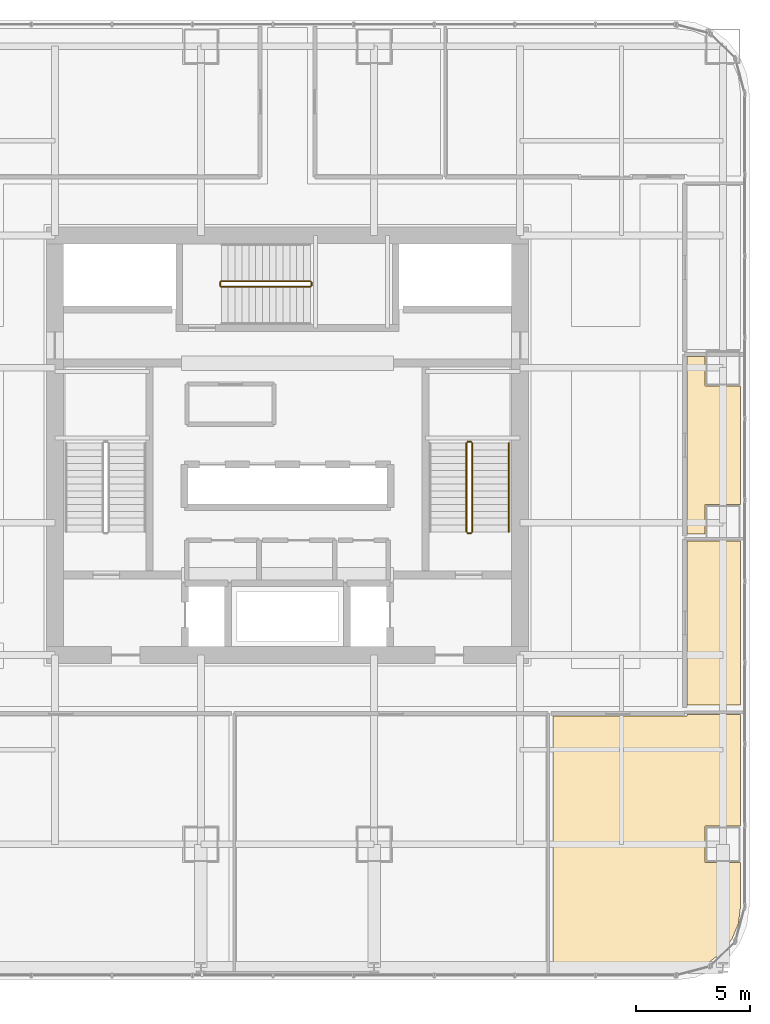
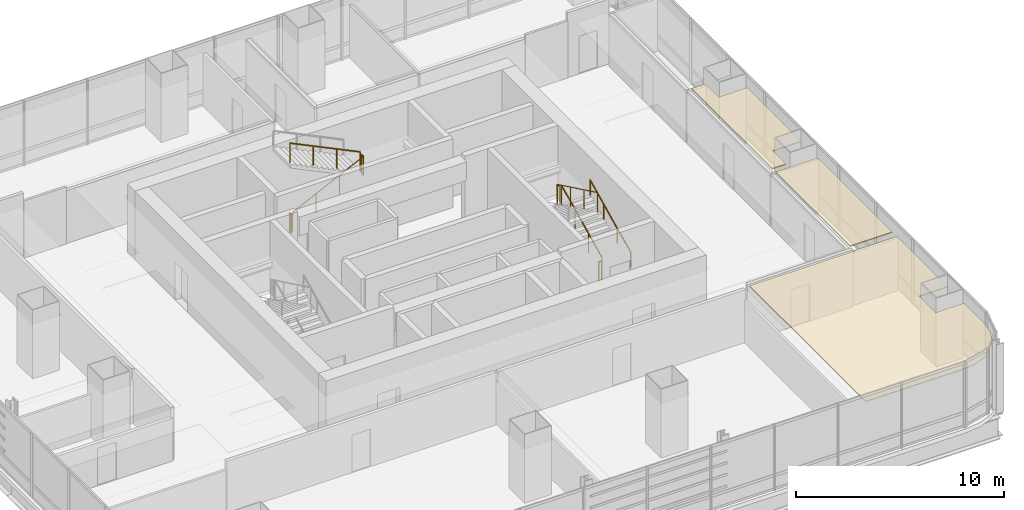
# One storey, part 35 of 36: 9 railings, 3 coverings.
"""IFC4 building model written with IfcOpenShell, lengths in metres."""

from ifc_helpers import new_model, si_unit, direction, frame, origin, origin_2d, place, context, subcontext, project, spatial, polyline, circle, outline, extrude, material, layer, layer_set, type_object, element, save


model = new_model("IFC4")

# Units and contexts
model_context = context("Model", 3, precision=1e-05, world=origin(), true_north=direction((0.0, 1.0)))
body_context = subcontext(model_context, "Body", "Model", "MODEL_VIEW")
ifc_project = project(units=[si_unit("LENGTHUNIT", "METRE"), si_unit("AREAUNIT", "SQUARE_METRE"), si_unit("VOLUMEUNIT", "CUBIC_METRE"), si_unit("PLANEANGLEUNIT", "RADIAN"), si_unit("MASSUNIT", "GRAM", prefix="KILO")], contexts=[model_context])

# Site, building, storey
site_placement = place(None, origin())
site = spatial("IfcSite", under=ifc_project, at=site_placement, CompositionType="ELEMENT")
building_placement = place(site_placement, origin())
building = spatial("IfcBuilding", under=site, at=building_placement, Name="Punatoya Terracotta Tower", CompositionType="ELEMENT")
storey_placement = place(building_placement, frame((0.0, 0.0, 40.35009765625)))
storey = spatial("IfcBuildingStorey", under=building, at=storey_placement, Name="L08", CompositionType="ELEMENT", Elevation=40.35009765625)

# Coverings
ifc_material_1 = material(Name="Acoustic Mineral Fibre Ceiling")
ifc_layer = layer(ifc_material_1, 0.06005859375)
ifc_layer_set = layer_set([ifc_layer], Name="Acoustic Mineral Fibre Ceiling")
covering_type = type_object("IfcCoveringType", Name="COV-CEIL-60", PredefinedType="CEILING", material=ifc_layer_set)
covering_1_placement = place(storey_placement, frame((0.0, 0.0, 3.199951171875)))
element("IfcCovering", 1, at=covering_1_placement, inside=storey, type_object=covering_type, Name="L08 Open-Plan Project Design Office Acoustic Ceiling", PredefinedType="CEILING", context=body_context, shape_type="SweptSolid", body=[
    extrude(outline(polyline([(17.52001953125, -11.8701171875), (11.64990234375, -11.8701171875), (11.64990234375, -23.070068359375), (17.025146484375, -23.070068359375), (17.779052734375, -22.970703125), (18.458251953125, -22.689453125), (19.041748046875, -22.24169921875), (19.489501953125, -21.658203125), (19.770751953125, -20.97900390625), (19.8701171875, -20.22509765625), (19.8701171875, -18.300048828125), (18.300048828125, -18.300048828125), (18.300048828125, -16.699951171875), (19.8701171875, -16.699951171875), (19.8701171875, -11.81005859375), (17.52001953125, -11.81005859375), (17.52001953125, -11.8701171875)])), origin(), (0.0, 0.0, 1.0), 0.06005859375),
])
covering_2_placement = place(storey_placement, frame((0.0, 0.0, 3.199951171875)))
element("IfcCovering", 2, at=covering_2_placement, inside=storey, type_object=covering_type, Name="L08 Client Strategy Boardroom Acoustic Ceiling", PredefinedType="CEILING", context=body_context, shape_type="SweptSolid", body=[
    extrude(outline(polyline([(17.52001953125, -4.202880859375), (17.52001953125, -11.389892578125), (19.8701171875, -11.389892578125), (19.8701171875, -4.202880859375), (17.52001953125, -4.202880859375)])), origin(), (0.0, 0.0, 1.0), 0.06005859375),
])
covering_3_placement = place(storey_placement, frame((0.0, 0.0, 3.199951171875)))
element("IfcCovering", 3, at=covering_3_placement, inside=storey, type_object=covering_type, Name="L08 Open-Plan Staff Tea Pantry Acoustic Ceiling", PredefinedType="CEILING", context=body_context, shape_type="SweptSolid", body=[
    extrude(outline(polyline([(18.300048828125, 2.60009765625), (18.300048828125, 3.883056640625), (17.52001953125, 3.883056640625), (17.52001953125, -3.883056640625), (18.300048828125, -3.883056640625), (18.300048828125, -2.60009765625), (19.8701171875, -2.60009765625), (19.8701171875, 2.60009765625), (18.300048828125, 2.60009765625)])), origin(), (0.0, 0.0, 1.0), 0.06005859375),
])

# Railings
ifc_material_2 = material(Name="Steel S355", Category="steel")
railing_type_1 = type_object("IfcRailingType", Name="RLG-GRD-1150", PredefinedType="GUARDRAIL", material=ifc_material_2)
railing_1_placement = place(storey_placement, frame((8.10009765625, -3.800048828125, 0.14453125)))
element("IfcRailing", 4, at=railing_1_placement, inside=storey, type_object=railing_type_1, Name="L08 ST-2 stair guard 1", PredefinedType="GUARDRAIL", context=body_context, shape_type="SweptSolid", body=[
    extrude(circle(Radius=0.02392578125, at=origin_2d()), frame((0.0, 0.0, 1.1259765625), z_axis=(0.0, 0.900773802044, 0.434288564841), x_axis=(-1.0, 0.0, 0.0)), (0.0, 0.0, 1.0), 4.329833984375),
    extrude(circle(Radius=0.02099609375, at=origin_2d()), origin(), (0.0, 0.0, 1.0), 1.101806640625),
    extrude(circle(Radius=0.02099609375, at=origin_2d()), frame((0.0, 1.300048828125, 0.626708984375)), (0.0, 0.0, 1.0), 1.101806640625),
    extrude(circle(Radius=0.02099609375, at=origin_2d()), frame((0.0, 2.60009765625, 1.253662109375)), (0.0, 0.0, 1.0), 1.101806640625),
    extrude(circle(Radius=0.02099609375, at=origin_2d()), frame((0.0, 3.900146484375, 1.88037109375)), (0.0, 0.0, 1.0), 1.101806640625),
])
railing_2_placement = place(storey_placement, frame((8.050048828125, 0.14990234375, 2.02490234375)))
element("IfcRailing", 5, at=railing_2_placement, inside=storey, type_object=railing_type_1, Name="L08 ST-2 stair guard 2", PredefinedType="GUARDRAIL", context=body_context, shape_type="SweptSolid", body=[
    extrude(circle(Radius=0.02392578125, at=origin_2d()), frame((0.0, 0.0, 1.1259765625), z_axis=(-1.0, 0.0, 0.0), x_axis=(0.0, -1.0, 0.0)), (0.0, 0.0, 1.0), 0.150146484375),
    extrude(circle(Radius=0.02099609375, at=origin_2d()), origin(), (0.0, 0.0, 1.0), 1.101806640625),
    extrude(circle(Radius=0.02099609375, at=origin_2d()), frame((-0.150146484375, 0.0, 0.0)), (0.0, 0.0, 1.0), 1.101806640625),
])
railing_3_placement = place(storey_placement, frame((7.85009765625, 0.10009765625, 2.16943359375)))
element("IfcRailing", 6, at=railing_3_placement, inside=storey, type_object=railing_type_1, Name="L08 ST-2 stair guard 3", PredefinedType="GUARDRAIL", context=body_context, shape_type="SweptSolid", body=[
    extrude(circle(Radius=0.02392578125, at=origin_2d()), frame((0.0, 0.0, 1.1259765625), z_axis=(0.0, -0.900773802044, 0.434288564841), x_axis=(1.0, 0.0, 0.0)), (0.0, 0.0, 1.0), 4.329833984375),
    extrude(circle(Radius=0.02099609375, at=origin_2d()), origin(), (0.0, 0.0, 1.0), 1.101806640625),
    extrude(circle(Radius=0.02099609375, at=origin_2d()), frame((0.0, -1.300048828125, 0.626708984375)), (0.0, 0.0, 1.0), 1.101806640625),
    extrude(circle(Radius=0.02099609375, at=origin_2d()), frame((0.0, -2.60009765625, 1.253662109375)), (0.0, 0.0, 1.0), 1.101806640625),
    extrude(circle(Radius=0.02099609375, at=origin_2d()), frame((0.0, -3.900146484375, 1.88037109375)), (0.0, 0.0, 1.0), 1.101806640625),
])
railing_4_placement = place(storey_placement, frame((8.050048828125, -3.85009765625, 0.0)))
element("IfcRailing", 7, at=railing_4_placement, inside=storey, type_object=railing_type_1, Name="L08 ST-2 stair guard 4", PredefinedType="GUARDRAIL", context=body_context, shape_type="SweptSolid", body=[
    extrude(circle(Radius=0.02392578125, at=origin_2d()), frame((0.0, 0.0, 1.1259765625), z_axis=(-1.0, 0.0, 0.0), x_axis=(0.0, -1.0, 0.0)), (0.0, 0.0, 1.0), 0.150146484375),
    extrude(circle(Radius=0.02099609375, at=origin_2d()), origin(), (0.0, 0.0, 1.0), 1.101806640625),
    extrude(circle(Radius=0.02099609375, at=origin_2d()), frame((-0.150146484375, 0.0, 0.0)), (0.0, 0.0, 1.0), 1.101806640625),
])
railing_5_placement = place(storey_placement, frame((-2.89990234375, 6.949951171875, 0.14453125)))
element("IfcRailing", 8, at=railing_5_placement, inside=storey, type_object=railing_type_1, Name="L08 ST-3 stair guard 1", PredefinedType="GUARDRAIL", context=body_context, shape_type="SweptSolid", body=[
    extrude(circle(Radius=0.02392578125, at=origin_2d()), frame((0.0, 0.0, 1.1259765625), z_axis=(0.900763166376, 0.0, 0.434310623978), x_axis=(0.0, 1.0, 0.0)), (0.0, 0.0, 1.0), 4.32958984375),
    extrude(circle(Radius=0.02099609375, at=origin_2d()), origin(), (0.0, 0.0, 1.0), 1.101806640625),
    extrude(circle(Radius=0.02099609375, at=origin_2d()), frame((1.300048828125, 0.0, 0.626708984375)), (0.0, 0.0, 1.0), 1.101806640625),
    extrude(circle(Radius=0.02099609375, at=origin_2d()), frame((2.599853515625, 0.0, 1.253662109375)), (0.0, 0.0, 1.0), 1.101806640625),
    extrude(circle(Radius=0.02099609375, at=origin_2d()), frame((3.89990234375, 0.0, 1.88037109375)), (0.0, 0.0, 1.0), 1.101806640625),
])
railing_6_placement = place(storey_placement, frame((1.050048828125, 7.0, 2.02490234375)))
element("IfcRailing", 9, at=railing_6_placement, inside=storey, type_object=railing_type_1, Name="L08 ST-3 stair guard 2", PredefinedType="GUARDRAIL", context=body_context, shape_type="SweptSolid", body=[
    extrude(circle(Radius=0.02392578125, at=origin_2d()), frame((0.0, 0.0, 1.1259765625), z_axis=(0.0, 1.0, 0.0), x_axis=(-1.0, 0.0, 0.0)), (0.0, 0.0, 1.0), 0.14990234375),
    extrude(circle(Radius=0.02099609375, at=origin_2d()), origin(), (0.0, 0.0, 1.0), 1.101806640625),
    extrude(circle(Radius=0.02099609375, at=origin_2d()), frame((0.0, 0.14990234375, 0.0)), (0.0, 0.0, 1.0), 1.101806640625),
])
railing_7_placement = place(storey_placement, frame((1.0, 7.199951171875, 2.16943359375)))
element("IfcRailing", 10, at=railing_7_placement, inside=storey, type_object=railing_type_1, Name="L08 ST-3 stair guard 3", PredefinedType="GUARDRAIL", context=body_context, shape_type="SweptSolid", body=[
    extrude(circle(Radius=0.02392578125, at=origin_2d()), frame((0.0, 0.0, 1.1259765625), z_axis=(-0.900763166376, 0.0, 0.434310623978), x_axis=(0.0, -1.0, 0.0)), (0.0, 0.0, 1.0), 4.32958984375),
    extrude(circle(Radius=0.02099609375, at=origin_2d()), origin(), (0.0, 0.0, 1.0), 1.101806640625),
    extrude(circle(Radius=0.02099609375, at=origin_2d()), frame((-1.300048828125, 0.0, 0.626708984375)), (0.0, 0.0, 1.0), 1.101806640625),
    extrude(circle(Radius=0.02099609375, at=origin_2d()), frame((-2.599853515625, 0.0, 1.253662109375)), (0.0, 0.0, 1.0), 1.101806640625),
    extrude(circle(Radius=0.02099609375, at=origin_2d()), frame((-3.89990234375, 0.0, 1.88037109375)), (0.0, 0.0, 1.0), 1.101806640625),
])
railing_8_placement = place(storey_placement, frame((-2.949951171875, 7.0, 0.0)))
element("IfcRailing", 11, at=railing_8_placement, inside=storey, type_object=railing_type_1, Name="L08 ST-3 stair guard 4", PredefinedType="GUARDRAIL", context=body_context, shape_type="SweptSolid", body=[
    extrude(circle(Radius=0.02392578125, at=origin_2d()), frame((0.0, 0.0, 1.1259765625), z_axis=(0.0, 1.0, 0.0), x_axis=(-1.0, 0.0, 0.0)), (0.0, 0.0, 1.0), 0.14990234375),
    extrude(circle(Radius=0.02099609375, at=origin_2d()), origin(), (0.0, 0.0, 1.0), 1.101806640625),
    extrude(circle(Radius=0.02099609375, at=origin_2d()), frame((0.0, 0.14990234375, 0.0)), (0.0, 0.0, 1.0), 1.101806640625),
])
railing_type_2 = type_object("IfcRailingType", Name="RLG-HND-900", PredefinedType="HANDRAIL", material=ifc_material_2)
railing_9_placement = place(storey_placement, frame((9.699951171875, -3.800048828125, 0.14453125)))
element("IfcRailing", 12, at=railing_9_placement, inside=storey, type_object=railing_type_2, Name="L08 ST-2 stair handrail 1", PredefinedType="HANDRAIL", context=body_context, shape_type="SweptSolid", body=[
    extrude(circle(Radius=0.02392578125, at=origin_2d()), frame((0.0, 0.0, 0.8759765625), z_axis=(0.0, 0.900773802044, 0.434288564841), x_axis=(-1.0, 0.0, 0.0)), (0.0, 0.0, 1.0), 4.329833984375),
    extrude(circle(Radius=0.02099609375, at=origin_2d()), origin(), (0.0, 0.0, 1.0), 0.851806640625),
    extrude(circle(Radius=0.02099609375, at=origin_2d()), frame((0.0, 1.300048828125, 0.626708984375)), (0.0, 0.0, 1.0), 0.851806640625),
    extrude(circle(Radius=0.02099609375, at=origin_2d()), frame((0.0, 2.60009765625, 1.253662109375)), (0.0, 0.0, 1.0), 0.851806640625),
    extrude(circle(Radius=0.02099609375, at=origin_2d()), frame((0.0, 3.900146484375, 1.88037109375)), (0.0, 0.0, 1.0), 0.851806640625),
])

save(model, "model.ifc")
